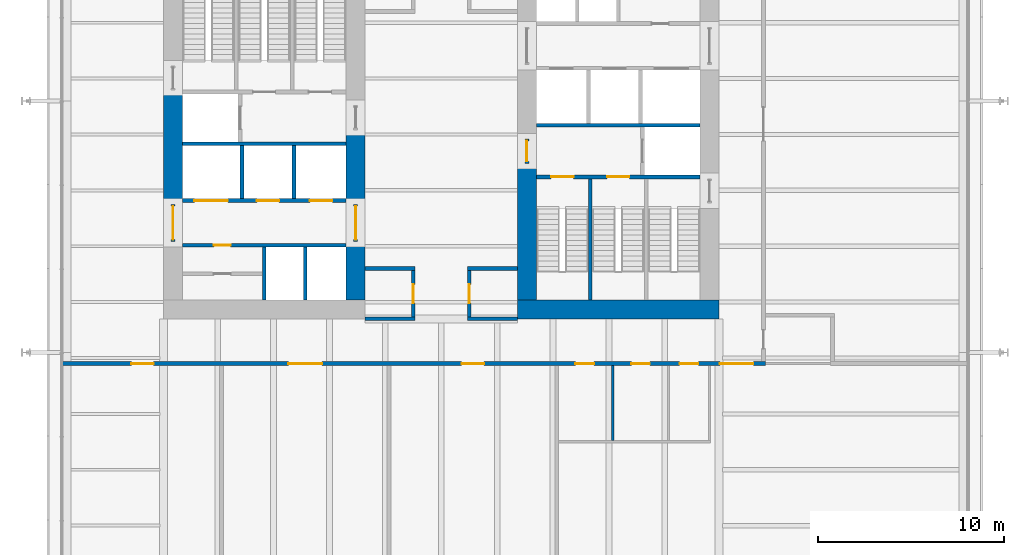
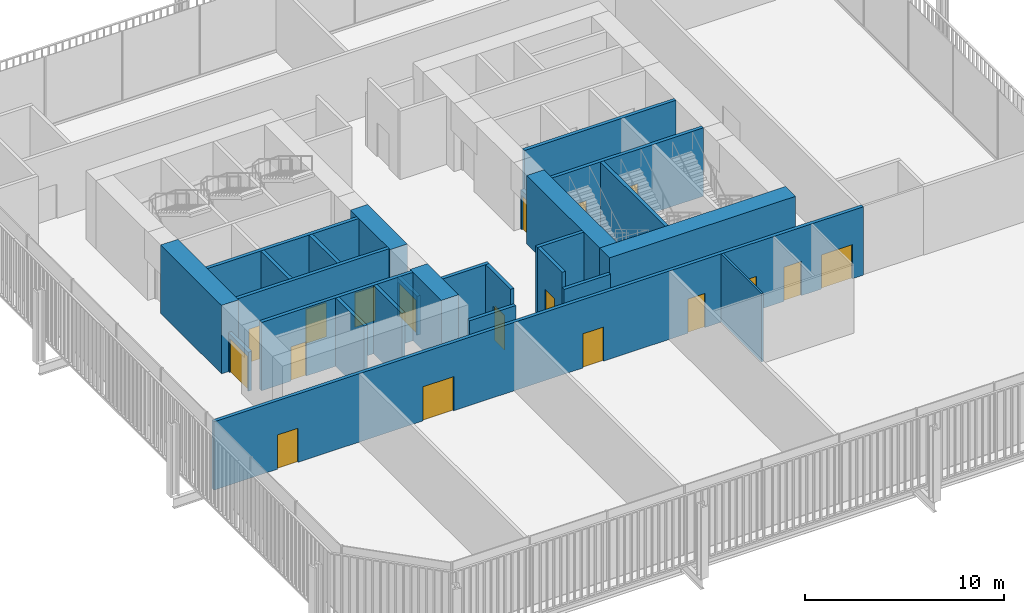
# One storey, part 16 of 20: 26 walls, 18 doors, 18 openings.
"""IFC4 building model written with IfcOpenShell, lengths in metres."""

from ifc_helpers import new_model, si_unit, direction, frame, frame_2d, origin, place, context, subcontext, project, spatial, rectangle, extrude, material, layer, layer_set, type_object, element, fill, save


model = new_model("IFC4")

# Units and contexts
model_context = context("Model", 3, precision=1e-05, world=origin(), true_north=direction((0.0, 1.0)))
body_context = subcontext(model_context, "Body", "Model", "MODEL_VIEW")
ifc_project = project(units=[si_unit("LENGTHUNIT", "METRE"), si_unit("AREAUNIT", "SQUARE_METRE"), si_unit("VOLUMEUNIT", "CUBIC_METRE"), si_unit("PLANEANGLEUNIT", "RADIAN"), si_unit("MASSUNIT", "GRAM", prefix="KILO")], contexts=[model_context])

# Site, building, storey
site_placement = place(None, origin())
site = spatial("IfcSite", under=ifc_project, at=site_placement, CompositionType="ELEMENT")
building_placement = place(site_placement, origin())
building = spatial("IfcBuilding", under=site, at=building_placement, Name="Millrace Tower", CompositionType="ELEMENT")
storey_placement = place(building_placement, frame((0.0, 0.0, 99.60009765625)))
storey = spatial("IfcBuildingStorey", under=building, at=storey_placement, Name="L22", CompositionType="ELEMENT", Elevation=99.60009765625)

# Walls
ifc_material_1 = material(Name="Concrete C80", Category="concrete")
ifc_layer_1 = layer(ifc_material_1, 1.0)
ifc_layer_set_1 = layer_set([ifc_layer_1], Name="Concrete C80")
wall_type_1 = type_object("IfcWallType", Name="Core wall 1000 Concrete C80", PredefinedType="SHEAR", material=ifc_layer_set_1)
wall_1_placement = place(storey_placement, frame((-14.39990234375, -3.75, 0.0), z_axis=(0.0, 0.0, 1.0), x_axis=(0.0, 1.0, 0.0)))
element("IfcWall", 1, at=wall_1_placement, inside=storey, type_object=wall_type_1, Name="Core wall W L22", PredefinedType="SHEAR", context=body_context, shape_type="SweptSolid", body=[
    extrude(rectangle(XDim=6.1298828125, YDim=1.0, at=frame_2d((3.06494140625, 0.0))), origin(), (0.0, 0.0, 1.0), 4.199951171875),
])
wall_2_placement = place(storey_placement, frame((-4.60009765625, -8.89990234375, 0.0), z_axis=(0.0, 0.0, 1.0), x_axis=(0.0, 1.0, 0.0)))
element("IfcWall", 2, at=wall_2_placement, inside=storey, type_object=wall_type_1, Name="Core wall W L22", PredefinedType="SHEAR", context=body_context, shape_type="SweptSolid", body=[
    extrude(rectangle(XDim=3.14990234375, YDim=1.0, at=frame_2d((1.574951171875, 0.0))), origin(), (0.0, 0.0, 1.0), 4.199951171875),
])
wall_3_placement = place(storey_placement, frame((-4.60009765625, -3.75, 0.0), z_axis=(0.0, 0.0, 1.0), x_axis=(0.0, 1.0, 0.0)))
element("IfcWall", 3, at=wall_3_placement, inside=storey, type_object=wall_type_1, Name="Core wall W L22", PredefinedType="SHEAR", context=body_context, shape_type="SweptSolid", body=[
    extrude(rectangle(XDim=4.0, YDim=1.0, at=frame_2d((2.0, 0.0))), origin(), (0.0, 0.0, 1.0), 4.199951171875),
])
wall_4_placement = place(storey_placement, frame((14.89990234375, -9.39990234375, 0.0), z_axis=(0.0, 0.0, 1.0), x_axis=(-1.0, 0.0, 0.0)))
element("IfcWall", 4, at=wall_4_placement, inside=storey, type_object=wall_type_1, Name="Core wall E L22", PredefinedType="SHEAR", context=body_context, shape_type="SweptSolid", body=[
    extrude(rectangle(XDim=10.7998046875, YDim=1.0, at=frame_2d((5.39990234375, 0.0))), origin(), (0.0, 0.0, 1.0), 4.199951171875),
])
wall_5_placement = place(storey_placement, frame((4.60009765625, -1.550048828125, 0.0), z_axis=(0.0, 0.0, 1.0), x_axis=(0.0, -1.0, 0.0)))
element("IfcWall", 5, at=wall_5_placement, inside=storey, type_object=wall_type_1, Name="Core wall E L22", PredefinedType="SHEAR", context=body_context, shape_type="SweptSolid", body=[
    extrude(rectangle(XDim=7.349853515625, YDim=1.0, at=frame_2d((3.6748046875, 0.0))), origin(), (0.0, 0.0, 1.0), 4.199951171875),
])

# Wall, openings, doors
ifc_material_2 = material(Name="Masonry partition, fire-rated", Category="masonry")
ifc_layer_2 = layer(ifc_material_2, 0.199951171875)
ifc_layer_set_2 = layer_set([ifc_layer_2], Name="Masonry partition, fire-rated")
wall_type_2 = type_object("IfcWallType", Name="Corridor wall 200", PredefinedType="PARTITIONING", material=ifc_layer_set_2)
wall_6_placement = place(storey_placement, frame((-20.330078125, -12.300048828125, 0.0), z_axis=(0.0, 0.0, 1.0), x_axis=(1.0, 0.0, 0.0)))
wall_6 = element("IfcWall", 6, at=wall_6_placement, inside=storey, type_object=wall_type_2, Name="Corridor wall L22", PredefinedType="PARTITIONING", context=body_context, shape_type="SweptSolid", body=[
    extrude(rectangle(XDim=37.72998046875, YDim=0.199951171875, at=frame_2d((18.864990234375, 0.0))), origin(), (0.0, 0.0, 1.0), 4.199951171875),
])
opening_1_placement = place(wall_6_placement, frame((3.68994140625, 0.0, 0.0)))
opening_1 = element("IfcOpeningElement", 7, at=opening_1_placement, cuts=wall_6, Name="Opening 22-P005", PredefinedType="OPENING", context=body_context, shape_type="SweptSolid", body=[
    extrude(rectangle(XDim=1.199951171875, YDim=2.10009765625, at=frame_2d((0.60009765625, 1.050048828125))), frame((0.0, 0.10986328125, 0.0), z_axis=(0.0, -1.0, 0.0), x_axis=(1.0, 0.0, 0.0)), (0.0, 0.0, 1.0), 0.219970703125),
])
opening_2_placement = place(wall_6_placement, frame((12.1298828125, 0.0, 0.0)))
opening_2 = element("IfcOpeningElement", 8, at=opening_2_placement, cuts=wall_6, Name="Opening 22-P006", PredefinedType="OPENING", context=body_context, shape_type="SweptSolid", body=[
    extrude(rectangle(XDim=1.800048828125, YDim=2.10009765625, at=frame_2d((0.89990234375, 1.050048828125))), frame((0.0, 0.10986328125, 0.0), z_axis=(0.0, -1.0, 0.0), x_axis=(1.0, 0.0, 0.0)), (0.0, 0.0, 1.0), 0.219970703125),
])
opening_3_placement = place(wall_6_placement, frame((21.429931640625, 0.0, 0.0)))
opening_3 = element("IfcOpeningElement", 9, at=opening_3_placement, cuts=wall_6, Name="Opening 22-P007", PredefinedType="OPENING", context=body_context, shape_type="SweptSolid", body=[
    extrude(rectangle(XDim=1.199951171875, YDim=2.10009765625, at=frame_2d((0.60009765625, 1.050048828125))), frame((0.0, 0.10986328125, 0.0), z_axis=(0.0, -1.0, 0.0), x_axis=(1.0, 0.0, 0.0)), (0.0, 0.0, 1.0), 0.219970703125),
])
opening_4_placement = place(wall_6_placement, frame((35.284912109375, 0.0, 0.0)))
opening_4 = element("IfcOpeningElement", 10, at=opening_4_placement, cuts=wall_6, Name="Opening 22-P008", PredefinedType="OPENING", context=body_context, shape_type="SweptSolid", body=[
    extrude(rectangle(XDim=1.800048828125, YDim=2.10009765625, at=frame_2d((0.89990234375, 1.050048828125))), frame((0.0, 0.10986328125, 0.0), z_axis=(0.0, -1.0, 0.0), x_axis=(1.0, 0.0, 0.0)), (0.0, 0.0, 1.0), 0.219970703125),
])
opening_5_placement = place(wall_6_placement, frame((27.530029296875, 0.0, 0.0)))
opening_5 = element("IfcOpeningElement", 11, at=opening_5_placement, cuts=wall_6, Name="Opening 22-P009", PredefinedType="OPENING", context=body_context, shape_type="SweptSolid", body=[
    extrude(rectangle(XDim=1.0, YDim=2.10009765625, at=frame_2d((0.5, 1.050048828125))), frame((0.0, 0.10986328125, 0.0), z_axis=(0.0, -1.0, 0.0), x_axis=(1.0, 0.0, 0.0)), (0.0, 0.0, 1.0), 0.219970703125),
])
opening_6_placement = place(wall_6_placement, frame((30.530029296875, 0.0, 0.0)))
opening_6 = element("IfcOpeningElement", 12, at=opening_6_placement, cuts=wall_6, Name="Opening 22-P010", PredefinedType="OPENING", context=body_context, shape_type="SweptSolid", body=[
    extrude(rectangle(XDim=1.0, YDim=2.10009765625, at=frame_2d((0.5, 1.050048828125))), frame((0.0, 0.10986328125, 0.0), z_axis=(0.0, -1.0, 0.0), x_axis=(1.0, 0.0, 0.0)), (0.0, 0.0, 1.0), 0.219970703125),
])
opening_7_placement = place(wall_6_placement, frame((33.1298828125, 0.0, 0.0)))
opening_7 = element("IfcOpeningElement", 13, at=opening_7_placement, cuts=wall_6, Name="Opening 22-P011", PredefinedType="OPENING", context=body_context, shape_type="SweptSolid", body=[
    extrude(rectangle(XDim=1.0, YDim=2.10009765625, at=frame_2d((0.5, 1.050048828125))), frame((0.0, 0.10986328125, 0.0), z_axis=(0.0, -1.0, 0.0), x_axis=(1.0, 0.0, 0.0)), (0.0, 0.0, 1.0), 0.219970703125),
])
ifc_material_3 = material(Name="Steel door set, fire-rated", Category="steel")
door_type_1 = type_object("IfcDoorType", Name="Corridor door 1000 x 2100", OperationType="SINGLE_SWING_LEFT", PredefinedType="DOOR", material=ifc_material_3)
door_1_placement = place(opening_5_placement, frame((1.0, 0.0, 0.0), z_axis=(0.0, 0.0, 1.0), x_axis=(-1.0, 0.0, 0.0)))
door_1 = element("IfcDoor", 14, at=door_1_placement, inside=storey, type_object=door_type_1, Name="Door 22-P009", OperationType="SINGLE_SWING_LEFT", OverallHeight=2.10009765625, OverallWidth=1.0, PredefinedType="DOOR", context=body_context, shape_type="SweptSolid", body=[
    extrude(rectangle(XDim=1.0, YDim=2.10009765625, at=frame_2d((0.5, 1.050048828125))), frame((0.0, 0.02490234375, 0.0), z_axis=(0.0, -1.0, 0.0), x_axis=(1.0, 0.0, 0.0)), (0.0, 0.0, 1.0), 0.050048828125),
])
fill(opening_5, door_1)
door_2_placement = place(opening_6_placement, frame((1.0, 0.0, 0.0), z_axis=(0.0, 0.0, 1.0), x_axis=(-1.0, 0.0, 0.0)))
door_2 = element("IfcDoor", 15, at=door_2_placement, inside=storey, type_object=door_type_1, Name="Door 22-P010", OperationType="SINGLE_SWING_LEFT", OverallHeight=2.10009765625, OverallWidth=1.0, PredefinedType="DOOR", context=body_context, shape_type="SweptSolid", body=[
    extrude(rectangle(XDim=1.0, YDim=2.10009765625, at=frame_2d((0.5, 1.050048828125))), frame((0.0, 0.02490234375, 0.0), z_axis=(0.0, -1.0, 0.0), x_axis=(1.0, 0.0, 0.0)), (0.0, 0.0, 1.0), 0.050048828125),
])
fill(opening_6, door_2)
door_3_placement = place(opening_7_placement, frame((1.0, 0.0, 0.0), z_axis=(0.0, 0.0, 1.0), x_axis=(-1.0, 0.0, 0.0)))
door_3 = element("IfcDoor", 16, at=door_3_placement, inside=storey, type_object=door_type_1, Name="Door 22-P011", OperationType="SINGLE_SWING_LEFT", OverallHeight=2.10009765625, OverallWidth=1.0, PredefinedType="DOOR", context=body_context, shape_type="SweptSolid", body=[
    extrude(rectangle(XDim=1.0, YDim=2.10009765625, at=frame_2d((0.5, 1.050048828125))), frame((0.0, 0.02490234375, 0.0), z_axis=(0.0, -1.0, 0.0), x_axis=(1.0, 0.0, 0.0)), (0.0, 0.0, 1.0), 0.050048828125),
])
fill(opening_7, door_3)
ifc_material_4 = material(Name="Steel door set, fire-rated", Category="steel")
door_type_2 = type_object("IfcDoorType", Name="Corridor door 1800 x 2100", OperationType="DOUBLE_DOOR_SINGLE_SWING", PredefinedType="DOOR", material=ifc_material_4)
door_4_placement = place(opening_4_placement, origin())
door_4 = element("IfcDoor", 17, at=door_4_placement, inside=storey, type_object=door_type_2, Name="Door 22-P008", OperationType="DOUBLE_DOOR_SINGLE_SWING", OverallHeight=2.10009765625, OverallWidth=1.800048828125, PredefinedType="DOOR", context=body_context, shape_type="SweptSolid", body=[
    extrude(rectangle(XDim=1.800048828125, YDim=2.10009765625, at=frame_2d((0.89990234375, 1.050048828125))), frame((0.0, 0.02490234375, 0.0), z_axis=(0.0, -1.0, 0.0), x_axis=(1.0, 0.0, 0.0)), (0.0, 0.0, 1.0), 0.050048828125),
])
fill(opening_4, door_4)
ifc_material_5 = material(Name="Steel door set, fire-rated", Category="steel")
door_type_3 = type_object("IfcDoorType", Name="Data hall door 1200 x 2100", OperationType="SINGLE_SWING_LEFT", PredefinedType="DOOR", material=ifc_material_5)
door_5_placement = place(opening_1_placement, frame((1.199951171875, 0.0, 0.0), z_axis=(0.0, 0.0, 1.0), x_axis=(-1.0, 0.0, 0.0)))
door_5 = element("IfcDoor", 18, at=door_5_placement, inside=storey, type_object=door_type_3, Name="Door 22-P005", OperationType="SINGLE_SWING_RIGHT", OverallHeight=2.10009765625, OverallWidth=1.199951171875, PredefinedType="DOOR", context=body_context, shape_type="SweptSolid", body=[
    extrude(rectangle(XDim=1.199951171875, YDim=2.10009765625, at=frame_2d((0.60009765625, 1.050048828125))), frame((0.0, 0.02490234375, 0.0), z_axis=(0.0, -1.0, 0.0), x_axis=(1.0, 0.0, 0.0)), (0.0, 0.0, 1.0), 0.050048828125),
])
fill(opening_1, door_5)
door_6_placement = place(opening_3_placement, frame((1.199951171875, 0.0, 0.0), z_axis=(0.0, 0.0, 1.0), x_axis=(-1.0, 0.0, 0.0)))
door_6 = element("IfcDoor", 19, at=door_6_placement, inside=storey, type_object=door_type_3, Name="Door 22-P007", OperationType="SINGLE_SWING_LEFT", OverallHeight=2.10009765625, OverallWidth=1.199951171875, PredefinedType="DOOR", context=body_context, shape_type="SweptSolid", body=[
    extrude(rectangle(XDim=1.199951171875, YDim=2.10009765625, at=frame_2d((0.60009765625, 1.050048828125))), frame((0.0, 0.02490234375, 0.0), z_axis=(0.0, -1.0, 0.0), x_axis=(1.0, 0.0, 0.0)), (0.0, 0.0, 1.0), 0.050048828125),
])
fill(opening_3, door_6)
ifc_material_6 = material(Name="Steel door set, fire-rated", Category="steel")
door_type_4 = type_object("IfcDoorType", Name="Data hall door 1800 x 2100", OperationType="DOUBLE_DOOR_SINGLE_SWING", PredefinedType="DOOR", material=ifc_material_6)
door_7_placement = place(opening_2_placement, frame((1.800048828125, 0.0, 0.0), z_axis=(0.0, 0.0, 1.0), x_axis=(-1.0, 0.0, 0.0)))
door_7 = element("IfcDoor", 20, at=door_7_placement, inside=storey, type_object=door_type_4, Name="Door 22-P006", OperationType="DOUBLE_DOOR_SINGLE_SWING", OverallHeight=2.10009765625, OverallWidth=1.800048828125, PredefinedType="DOOR", context=body_context, shape_type="SweptSolid", body=[
    extrude(rectangle(XDim=1.800048828125, YDim=2.10009765625, at=frame_2d((0.89990234375, 1.050048828125))), frame((0.0, 0.02490234375, 0.0), z_axis=(0.0, -1.0, 0.0), x_axis=(1.0, 0.0, 0.0)), (0.0, 0.0, 1.0), 0.050048828125),
])
fill(opening_2, door_7)

# Walls
for number, where, z_axis, x_axis, name in (
    (21, (-4.10009765625, -9.89990234375, 0.0), (0.0, 0.0, 1.0), (1.0, 0.0, 0.0), "Corridor wall L22"),
    (22, (1.39990234375, -9.89990234375, 0.0), (0.0, 0.0, 1.0), (1.0, 0.0, 0.0), "Corridor wall L22"),
):
    element("IfcWall", number, at=place(storey_placement, frame(where, z_axis=z_axis, x_axis=x_axis)), inside=storey, type_object=wall_type_2, Name=name, PredefinedType="PARTITIONING", context=body_context, shape_type="SweptSolid", body=[
        extrude(rectangle(XDim=2.7001953125, YDim=0.199951171875, at=frame_2d((1.35009765625, 0.0))), origin(), (0.0, 0.0, 1.0), 3.2626953125),
    ])
for number, where, z_axis, x_axis, name in (
    (23, (-4.10009765625, -7.199951171875, 0.0), (0.0, 0.0, 1.0), (1.0, 0.0, 0.0), "Corridor wall L22"),
    (24, (1.39990234375, -7.199951171875, 0.0), (0.0, 0.0, 1.0), (1.0, 0.0, 0.0), "Corridor wall L22"),
):
    element("IfcWall", number, at=place(storey_placement, frame(where, z_axis=z_axis, x_axis=x_axis)), inside=storey, type_object=wall_type_2, Name=name, PredefinedType="PARTITIONING", context=body_context, shape_type="SweptSolid", body=[
        extrude(rectangle(XDim=2.7001953125, YDim=0.199951171875, at=frame_2d((1.35009765625, 0.0))), origin(), (0.0, 0.0, 1.0), 4.199951171875),
    ])

# Wall, opening, door
wall_7_placement = place(storey_placement, frame((1.5, -9.800048828125, 0.0), z_axis=(0.0, 0.0, 1.0), x_axis=(0.0, 1.0, 0.0)))
wall_7 = element("IfcWall", 25, at=wall_7_placement, inside=storey, type_object=wall_type_2, Name="Corridor wall L22", PredefinedType="PARTITIONING", context=body_context, shape_type="SweptSolid", body=[
    extrude(rectangle(XDim=2.5, YDim=0.199951171875, at=frame_2d((1.25, 0.0))), origin(), (0.0, 0.0, 1.0), 4.199951171875),
])
opening_8_placement = place(wall_7_placement, frame((0.75, 0.0, 0.0)))
opening_8 = element("IfcOpeningElement", 26, at=opening_8_placement, cuts=wall_7, Name="Opening 22-P004", PredefinedType="OPENING", context=body_context, shape_type="SweptSolid", body=[
    extrude(rectangle(XDim=1.0, YDim=2.10009765625, at=frame_2d((0.5, 1.050048828125))), frame((0.0, 0.10986328125, 0.0), z_axis=(0.0, -1.0, 0.0), x_axis=(1.0, 0.0, 0.0)), (0.0, 0.0, 1.0), 0.219970703125),
])
door_8_placement = place(opening_8_placement, frame((1.0, 0.0, 0.0), z_axis=(0.0, 0.0, 1.0), x_axis=(-1.0, 0.0, 0.0)))
door_8 = element("IfcDoor", 27, at=door_8_placement, inside=storey, type_object=door_type_1, Name="Door 22-P004", OperationType="SINGLE_SWING_LEFT", OverallHeight=2.10009765625, OverallWidth=1.0, PredefinedType="DOOR", context=body_context, shape_type="SweptSolid", body=[
    extrude(rectangle(XDim=1.0, YDim=2.10009765625, at=frame_2d((0.5, 1.050048828125))), frame((0.0, 0.02490234375, 0.0), z_axis=(0.0, -1.0, 0.0), x_axis=(1.0, 0.0, 0.0)), (0.0, 0.0, 1.0), 0.050048828125),
])
fill(opening_8, door_8)

wall_8_placement = place(storey_placement, frame((-1.5, -9.800048828125, 0.0), z_axis=(0.0, 0.0, 1.0), x_axis=(0.0, 1.0, 0.0)))
wall_8 = element("IfcWall", 28, at=wall_8_placement, inside=storey, type_object=wall_type_2, Name="Corridor wall L22", PredefinedType="PARTITIONING", context=body_context, shape_type="SweptSolid", body=[
    extrude(rectangle(XDim=2.5, YDim=0.199951171875, at=frame_2d((1.25, 0.0))), origin(), (0.0, 0.0, 1.0), 4.199951171875),
])
opening_9_placement = place(wall_8_placement, frame((0.75, 0.0, 0.0)))
opening_9 = element("IfcOpeningElement", 29, at=opening_9_placement, cuts=wall_8, Name="Opening 22-P003", PredefinedType="OPENING", context=body_context, shape_type="SweptSolid", body=[
    extrude(rectangle(XDim=1.0, YDim=2.10009765625, at=frame_2d((0.5, 1.050048828125))), frame((0.0, 0.10986328125, 0.0), z_axis=(0.0, -1.0, 0.0), x_axis=(1.0, 0.0, 0.0)), (0.0, 0.0, 1.0), 0.219970703125),
])
door_9_placement = place(opening_9_placement, origin())
door_9 = element("IfcDoor", 30, at=door_9_placement, inside=storey, type_object=door_type_1, Name="Door 22-P003", OperationType="SINGLE_SWING_RIGHT", OverallHeight=2.10009765625, OverallWidth=1.0, PredefinedType="DOOR", context=body_context, shape_type="SweptSolid", body=[
    extrude(rectangle(XDim=1.0, YDim=2.10009765625, at=frame_2d((0.5, 1.050048828125))), frame((0.0, 0.02490234375, 0.0), z_axis=(0.0, -1.0, 0.0), x_axis=(1.0, 0.0, 0.0)), (0.0, 0.0, 1.0), 0.050048828125),
])
fill(opening_9, door_9)

ifc_material_7 = material(Name="Masonry partition, fire-rated", Category="masonry")
ifc_layer_3 = layer(ifc_material_7, 0.199951171875)
ifc_layer_set_3 = layer_set([ifc_layer_3], Name="Masonry partition, fire-rated")
wall_type_3 = type_object("IfcWallType", Name="Lift shaft wall 200", PredefinedType="PARTITIONING", material=ifc_layer_set_3)
wall_9_placement = place(storey_placement, frame((-13.89990234375, -5.949951171875, 0.0), z_axis=(0.0, 0.0, 1.0), x_axis=(1.0, 0.0, 0.0)))
wall_9 = element("IfcWall", 31, at=wall_9_placement, inside=storey, type_object=wall_type_3, Name="Lift shaft wall W L22", PredefinedType="PARTITIONING", context=body_context, shape_type="SweptSolid", body=[
    extrude(rectangle(XDim=8.7998046875, YDim=0.199951171875, at=frame_2d((4.39990234375, 0.0))), origin(), (0.0, 0.0, 1.0), 4.199951171875),
])
opening_10_placement = place(wall_9_placement, frame((1.699951171875, 0.0, 0.0)))
opening_10 = element("IfcOpeningElement", 32, at=opening_10_placement, cuts=wall_9, Name="Opening 22-C005", PredefinedType="OPENING", context=body_context, shape_type="SweptSolid", body=[
    extrude(rectangle(XDim=0.89990234375, YDim=2.10009765625, at=frame_2d((0.449951171875, 1.050048828125))), frame((0.0, 0.10986328125, 0.0), z_axis=(0.0, -1.0, 0.0), x_axis=(1.0, 0.0, 0.0)), (0.0, 0.0, 1.0), 0.219970703125),
])
ifc_material_8 = material(Name="Steel door, fire-rated", Category="steel")
door_type_5 = type_object("IfcDoorType", Name="Service room door 900 x 2100", OperationType="SINGLE_SWING_LEFT", PredefinedType="DOOR", material=ifc_material_8)
door_10_placement = place(opening_10_placement, origin())
door_10 = element("IfcDoor", 33, at=door_10_placement, inside=storey, type_object=door_type_5, Name="Service room door 22-C005", OperationType="SINGLE_SWING_LEFT", OverallHeight=2.10009765625, OverallWidth=0.89990234375, PredefinedType="DOOR", context=body_context, shape_type="SweptSolid", body=[
    extrude(rectangle(XDim=0.89990234375, YDim=2.10009765625, at=frame_2d((0.449951171875, 1.050048828125))), frame((0.0, 0.02490234375, 0.0), z_axis=(0.0, -1.0, 0.0), x_axis=(1.0, 0.0, 0.0)), (0.0, 0.0, 1.0), 0.050048828125),
])
fill(opening_10, door_10)

# Wall, openings, doors
wall_10_placement = place(storey_placement, frame((-13.89990234375, -3.550048828125, 0.0), z_axis=(0.0, 0.0, 1.0), x_axis=(1.0, 0.0, 0.0)))
wall_10 = element("IfcWall", 34, at=wall_10_placement, inside=storey, type_object=wall_type_3, Name="Lift shaft wall W L22", PredefinedType="PARTITIONING", context=body_context, shape_type="SweptSolid", body=[
    extrude(rectangle(XDim=8.7998046875, YDim=0.199951171875, at=frame_2d((4.39990234375, 0.0))), origin(), (0.0, 0.0, 1.0), 4.199951171875),
])
opening_11_placement = place(wall_10_placement, frame((0.64990234375, 0.0, 0.0)))
opening_11 = element("IfcOpeningElement", 35, at=opening_11_placement, cuts=wall_10, Name="Opening 22-LD05", PredefinedType="OPENING", context=body_context, shape_type="SweptSolid", body=[
    extrude(rectangle(XDim=1.800048828125, YDim=2.10009765625, at=frame_2d((0.89990234375, 1.050048828125))), frame((0.0, 0.10986328125, 0.0), z_axis=(0.0, -1.0, 0.0), x_axis=(1.0, 0.0, 0.0)), (0.0, 0.0, 1.0), 0.219970703125),
])
opening_12_placement = place(wall_10_placement, frame((4.0, 0.0, 0.0)))
opening_12 = element("IfcOpeningElement", 36, at=opening_12_placement, cuts=wall_10, Name="Opening 22-LD06", PredefinedType="OPENING", context=body_context, shape_type="SweptSolid", body=[
    extrude(rectangle(XDim=1.199951171875, YDim=2.10009765625, at=frame_2d((0.60009765625, 1.050048828125))), frame((0.0, 0.10986328125, 0.0), z_axis=(0.0, -1.0, 0.0), x_axis=(1.0, 0.0, 0.0)), (0.0, 0.0, 1.0), 0.219970703125),
])
opening_13_placement = place(wall_10_placement, frame((6.85009765625, 0.0, 0.0)))
opening_13 = element("IfcOpeningElement", 37, at=opening_13_placement, cuts=wall_10, Name="Opening 22-LD07", PredefinedType="OPENING", context=body_context, shape_type="SweptSolid", body=[
    extrude(rectangle(XDim=1.199951171875, YDim=2.10009765625, at=frame_2d((0.60009765625, 1.050048828125))), frame((0.0, 0.10986328125, 0.0), z_axis=(0.0, -1.0, 0.0), x_axis=(1.0, 0.0, 0.0)), (0.0, 0.0, 1.0), 0.219970703125),
])
ifc_material_9 = material(Name="Stainless steel, fire-rated", Category="steel")
door_type_6 = type_object("IfcDoorType", Name="Lift landing door 1200 x 2100", OperationType="DOUBLE_DOOR_SLIDING", PredefinedType="DOOR", material=ifc_material_9)
door_11_placement = place(opening_12_placement, origin())
door_11 = element("IfcDoor", 38, at=door_11_placement, inside=storey, type_object=door_type_6, Name="Lift landing door LF6 L22", OperationType="DOUBLE_DOOR_SLIDING", OverallHeight=2.10009765625, OverallWidth=1.199951171875, PredefinedType="DOOR", context=body_context, shape_type="SweptSolid", body=[
    extrude(rectangle(XDim=1.199951171875, YDim=2.10009765625, at=frame_2d((0.60009765625, 1.050048828125))), frame((0.0, 0.02490234375, 0.0), z_axis=(0.0, -1.0, 0.0), x_axis=(1.0, 0.0, 0.0)), (0.0, 0.0, 1.0), 0.050048828125),
])
fill(opening_12, door_11)
door_12_placement = place(opening_13_placement, origin())
door_12 = element("IfcDoor", 39, at=door_12_placement, inside=storey, type_object=door_type_6, Name="Lift landing door LF7 L22", OperationType="DOUBLE_DOOR_SLIDING", OverallHeight=2.10009765625, OverallWidth=1.199951171875, PredefinedType="DOOR", context=body_context, shape_type="SweptSolid", body=[
    extrude(rectangle(XDim=1.199951171875, YDim=2.10009765625, at=frame_2d((0.60009765625, 1.050048828125))), frame((0.0, 0.02490234375, 0.0), z_axis=(0.0, -1.0, 0.0), x_axis=(1.0, 0.0, 0.0)), (0.0, 0.0, 1.0), 0.050048828125),
])
fill(opening_13, door_12)
ifc_material_10 = material(Name="Stainless steel, fire-rated", Category="steel")
door_type_7 = type_object("IfcDoorType", Name="Lift landing door 1800 x 2100", OperationType="DOUBLE_DOOR_SLIDING", PredefinedType="DOOR", material=ifc_material_10)
door_13_placement = place(opening_11_placement, origin())
door_13 = element("IfcDoor", 40, at=door_13_placement, inside=storey, type_object=door_type_7, Name="Lift landing door LF5 L22", OperationType="DOUBLE_DOOR_SLIDING", OverallHeight=2.10009765625, OverallWidth=1.800048828125, PredefinedType="DOOR", context=body_context, shape_type="SweptSolid", body=[
    extrude(rectangle(XDim=1.800048828125, YDim=2.10009765625, at=frame_2d((0.89990234375, 1.050048828125))), frame((0.0, 0.02490234375, 0.0), z_axis=(0.0, -1.0, 0.0), x_axis=(1.0, 0.0, 0.0)), (0.0, 0.0, 1.0), 0.050048828125),
])
fill(opening_11, door_13)

# Walls
wall_11_placement = place(storey_placement, frame((-13.89990234375, -0.5, 0.0), z_axis=(0.0, 0.0, 1.0), x_axis=(1.0, 0.0, 0.0)))
element("IfcWall", 41, at=wall_11_placement, inside=storey, type_object=wall_type_3, Name="Lift shaft wall W L22", PredefinedType="PARTITIONING", context=body_context, shape_type="SweptSolid", body=[
    extrude(rectangle(XDim=8.7998046875, YDim=0.199951171875, at=frame_2d((4.39990234375, 0.0))), origin(), (0.0, 0.0, 1.0), 4.199951171875),
])
for number, where, z_axis, x_axis, name in (
    (42, (-9.5, -8.89990234375, 0.0), (0.0, 0.0, 1.0), (0.0, 1.0, 0.0), "Lift shaft wall W L22"),
    (43, (-7.300048828125, -8.89990234375, 0.0), (0.0, 0.0, 1.0), (0.0, 1.0, 0.0), "Lift shaft wall W L22"),
    (44, (-10.699951171875, -3.449951171875, 0.0), (0.0, 0.0, 1.0), (0.0, 1.0, 0.0), "Lift shaft wall W L22"),
    (45, (-7.89990234375, -3.449951171875, 0.0), (0.0, 0.0, 1.0), (0.0, 1.0, 0.0), "Lift shaft wall W L22"),
):
    element("IfcWall", number, at=place(storey_placement, frame(where, z_axis=z_axis, x_axis=x_axis)), inside=storey, type_object=wall_type_3, Name=name, PredefinedType="PARTITIONING", context=body_context, shape_type="SweptSolid", body=[
        extrude(rectangle(XDim=2.849853515625, YDim=0.199951171875, at=frame_2d((1.4248046875, 0.0))), origin(), (0.0, 0.0, 1.0), 4.199951171875),
    ])
wall_12_placement = place(storey_placement, frame((13.89990234375, 0.5, 0.0), z_axis=(0.0, 0.0, 1.0), x_axis=(-1.0, 0.0, 0.0)))
element("IfcWall", 46, at=wall_12_placement, inside=storey, type_object=wall_type_3, Name="Lift shaft wall E L22", PredefinedType="PARTITIONING", context=body_context, shape_type="SweptSolid", body=[
    extrude(rectangle(XDim=8.7998046875, YDim=0.199951171875, at=frame_2d((4.39990234375, 0.0))), origin(), (0.0, 0.0, 1.0), 4.199951171875),
])

# Wall, opening, door
ifc_material_11 = material(Name="Masonry partition, fire-rated", Category="masonry")
ifc_layer_4 = layer(ifc_material_11, 0.199951171875)
ifc_layer_set_4 = layer_set([ifc_layer_4], Name="Masonry partition, fire-rated")
wall_type_4 = type_object("IfcWallType", Name="Lobby wall 200", PredefinedType="PARTITIONING", material=ifc_layer_set_4)
wall_13_placement = place(storey_placement, frame((-14.39990234375, -5.75, 0.0), z_axis=(0.0, 0.0, 1.0), x_axis=(0.0, 1.0, 0.0)))
wall_13 = element("IfcWall", 47, at=wall_13_placement, inside=storey, type_object=wall_type_4, Name="Lobby wall W L22", PredefinedType="PARTITIONING", context=body_context, shape_type="SweptSolid", body=[
    extrude(rectangle(XDim=2.0, YDim=0.199951171875, at=frame_2d((1.0, 0.0))), origin(), (0.0, 0.0, 1.0), 2.39990234375),
])
opening_14_placement = place(wall_13_placement, frame((0.10009765625, 0.0, 0.0)))
opening_14 = element("IfcOpeningElement", 48, at=opening_14_placement, cuts=wall_13, Name="Opening 22-C001", PredefinedType="OPENING", context=body_context, shape_type="SweptSolid", body=[
    extrude(rectangle(XDim=1.800048828125, YDim=2.10009765625, at=frame_2d((0.89990234375, 1.050048828125))), frame((0.0, 0.10986328125, 0.0), z_axis=(0.0, -1.0, 0.0), x_axis=(1.0, 0.0, 0.0)), (0.0, 0.0, 1.0), 0.219970703125),
])
ifc_material_12 = material(Name="Steel door, fire-rated", Category="steel")
door_type_8 = type_object("IfcDoorType", Name="Lobby door 1800 x 2100", OperationType="DOUBLE_DOOR_SINGLE_SWING", PredefinedType="DOOR", material=ifc_material_12)
door_14_placement = place(opening_14_placement, origin())
door_14 = element("IfcDoor", 49, at=door_14_placement, inside=storey, type_object=door_type_8, Name="Lobby door 22-C001", OperationType="DOUBLE_DOOR_SINGLE_SWING", OverallHeight=2.10009765625, OverallWidth=1.800048828125, PredefinedType="DOOR", context=body_context, shape_type="SweptSolid", body=[
    extrude(rectangle(XDim=1.800048828125, YDim=2.10009765625, at=frame_2d((0.89990234375, 1.050048828125))), frame((0.0, 0.02490234375, 0.0), z_axis=(0.0, -1.0, 0.0), x_axis=(1.0, 0.0, 0.0)), (0.0, 0.0, 1.0), 0.050048828125),
])
fill(opening_14, door_14)

wall_14_placement = place(storey_placement, frame((-4.60009765625, -5.75, 0.0), z_axis=(0.0, 0.0, 1.0), x_axis=(0.0, 1.0, 0.0)))
wall_14 = element("IfcWall", 50, at=wall_14_placement, inside=storey, type_object=wall_type_4, Name="Lobby wall W L22", PredefinedType="PARTITIONING", context=body_context, shape_type="SweptSolid", body=[
    extrude(rectangle(XDim=2.0, YDim=0.199951171875, at=frame_2d((1.0, 0.0))), origin(), (0.0, 0.0, 1.0), 2.39990234375),
])
opening_15_placement = place(wall_14_placement, frame((0.10009765625, 0.0, 0.0)))
opening_15 = element("IfcOpeningElement", 51, at=opening_15_placement, cuts=wall_14, Name="Opening 22-C003", PredefinedType="OPENING", context=body_context, shape_type="SweptSolid", body=[
    extrude(rectangle(XDim=1.800048828125, YDim=2.10009765625, at=frame_2d((0.89990234375, 1.050048828125))), frame((0.0, 0.10986328125, 0.0), z_axis=(0.0, -1.0, 0.0), x_axis=(1.0, 0.0, 0.0)), (0.0, 0.0, 1.0), 0.219970703125),
])
door_15_placement = place(opening_15_placement, origin())
door_15 = element("IfcDoor", 52, at=door_15_placement, inside=storey, type_object=door_type_8, Name="Lobby door 22-C003", OperationType="DOUBLE_DOOR_SINGLE_SWING", OverallHeight=2.10009765625, OverallWidth=1.800048828125, PredefinedType="DOOR", context=body_context, shape_type="SweptSolid", body=[
    extrude(rectangle(XDim=1.800048828125, YDim=2.10009765625, at=frame_2d((0.89990234375, 1.050048828125))), frame((0.0, 0.02490234375, 0.0), z_axis=(0.0, -1.0, 0.0), x_axis=(1.0, 0.0, 0.0)), (0.0, 0.0, 1.0), 0.050048828125),
])
fill(opening_15, door_15)

wall_15_placement = place(storey_placement, frame((4.60009765625, -0.25, 0.0), z_axis=(0.0, 0.0, 1.0), x_axis=(0.0, -1.0, 0.0)))
wall_15 = element("IfcWall", 53, at=wall_15_placement, inside=storey, type_object=wall_type_4, Name="Lobby wall E L22", PredefinedType="PARTITIONING", context=body_context, shape_type="SweptSolid", body=[
    extrude(rectangle(XDim=1.300048828125, YDim=0.199951171875, at=frame_2d((0.64990234375, 0.0))), origin(), (0.0, 0.0, 1.0), 2.39990234375),
])
opening_16_placement = place(wall_15_placement, frame((0.10009765625, 0.0, 0.0)))
opening_16 = element("IfcOpeningElement", 54, at=opening_16_placement, cuts=wall_15, Name="Opening 22-C012", PredefinedType="OPENING", context=body_context, shape_type="SweptSolid", body=[
    extrude(rectangle(XDim=1.10009765625, YDim=2.10009765625, at=frame_2d((0.550048828125, 1.050048828125))), frame((0.0, 0.10986328125, 0.0), z_axis=(0.0, -1.0, 0.0), x_axis=(1.0, 0.0, 0.0)), (0.0, 0.0, 1.0), 0.219970703125),
])
ifc_material_13 = material(Name="Steel door, fire-rated", Category="steel")
door_type_9 = type_object("IfcDoorType", Name="Lobby door 1100 x 2100", OperationType="SINGLE_SWING_LEFT", PredefinedType="DOOR", material=ifc_material_13)
door_16_placement = place(opening_16_placement, origin())
door_16 = element("IfcDoor", 55, at=door_16_placement, inside=storey, type_object=door_type_9, Name="Lobby door 22-C012", OperationType="SINGLE_SWING_RIGHT", OverallHeight=2.10009765625, OverallWidth=1.10009765625, PredefinedType="DOOR", context=body_context, shape_type="SweptSolid", body=[
    extrude(rectangle(XDim=1.10009765625, YDim=2.10009765625, at=frame_2d((0.550048828125, 1.050048828125))), frame((0.0, 0.02490234375, 0.0), z_axis=(0.0, -1.0, 0.0), x_axis=(1.0, 0.0, 0.0)), (0.0, 0.0, 1.0), 0.050048828125),
])
fill(opening_16, door_16)

# Wall
ifc_material_14 = material(Name="Gypsum board partition")
ifc_layer_5 = layer(ifc_material_14, 0.1201171875)
ifc_layer_set_5 = layer_set([ifc_layer_5], Name="Gypsum board partition")
wall_type_5 = type_object("IfcWallType", Name="Partition wall 120", PredefinedType="PARTITIONING", material=ifc_layer_set_5)
wall_16_placement = place(storey_placement, frame((9.199951171875, -16.43994140625, 0.0), z_axis=(0.0, 0.0, 1.0), x_axis=(0.0, 1.0, 0.0)))
element("IfcWall", 56, at=wall_16_placement, inside=storey, type_object=wall_type_5, Name="Partition wall L22", PredefinedType="PARTITIONING", context=body_context, shape_type="SweptSolid", body=[
    extrude(rectangle(XDim=4.0400390625, YDim=0.1201171875, at=frame_2d((2.02001953125, 0.0))), origin(), (0.0, 0.0, 1.0), 4.199951171875),
])

# Wall, openings, doors
ifc_material_15 = material(Name="Concrete C40", Category="concrete")
ifc_layer_6 = layer(ifc_material_15, 0.199951171875)
ifc_layer_set_6 = layer_set([ifc_layer_6], Name="Concrete C40")
wall_type_6 = type_object("IfcWallType", Name="Stair enclosure wall 200 Concrete C40", PredefinedType="SHEAR", material=ifc_layer_set_6)
wall_17_placement = place(storey_placement, frame((13.89990234375, -2.280029296875, 0.0), z_axis=(0.0, 0.0, 1.0), x_axis=(-1.0, 0.0, 0.0)))
wall_17 = element("IfcWall", 57, at=wall_17_placement, inside=storey, type_object=wall_type_6, Name="Stair enclosure wall E L22", PredefinedType="SHEAR", context=body_context, shape_type="SweptSolid", body=[
    extrude(rectangle(XDim=8.7998046875, YDim=0.199951171875, at=frame_2d((4.39990234375, 0.0))), origin(), (0.0, 0.0, 1.0), 4.199951171875),
])
opening_17_placement = place(wall_17_placement, frame((3.800048828125, 0.0, 0.0)))
opening_17 = element("IfcOpeningElement", 58, at=opening_17_placement, cuts=wall_17, Name="Opening 22-C015", PredefinedType="OPENING", context=body_context, shape_type="SweptSolid", body=[
    extrude(rectangle(XDim=1.199951171875, YDim=2.10009765625, at=frame_2d((0.60009765625, 1.050048828125))), frame((0.0, 0.10986328125, 0.0), z_axis=(0.0, -1.0, 0.0), x_axis=(1.0, 0.0, 0.0)), (0.0, 0.0, 1.0), 0.219970703125),
])
opening_18_placement = place(wall_17_placement, frame((6.800048828125, 0.0, 0.0)))
opening_18 = element("IfcOpeningElement", 59, at=opening_18_placement, cuts=wall_17, Name="Opening 22-C016", PredefinedType="OPENING", context=body_context, shape_type="SweptSolid", body=[
    extrude(rectangle(XDim=1.199951171875, YDim=2.10009765625, at=frame_2d((0.60009765625, 1.050048828125))), frame((0.0, 0.10986328125, 0.0), z_axis=(0.0, -1.0, 0.0), x_axis=(1.0, 0.0, 0.0)), (0.0, 0.0, 1.0), 0.219970703125),
])
ifc_material_16 = material(Name="Steel door, fire-rated", Category="steel")
door_type_10 = type_object("IfcDoorType", Name="Stair door 1200 x 2100", OperationType="SINGLE_SWING_LEFT", PredefinedType="DOOR", material=ifc_material_16)
door_17_placement = place(opening_17_placement, frame((1.199951171875, 0.0, 0.0), z_axis=(0.0, 0.0, 1.0), x_axis=(-1.0, 0.0, 0.0)))
door_17 = element("IfcDoor", 60, at=door_17_placement, inside=storey, type_object=door_type_10, Name="Stair door 22-C015", OperationType="SINGLE_SWING_RIGHT", OverallHeight=2.10009765625, OverallWidth=1.199951171875, PredefinedType="DOOR", context=body_context, shape_type="SweptSolid", body=[
    extrude(rectangle(XDim=1.199951171875, YDim=2.10009765625, at=frame_2d((0.60009765625, 1.050048828125))), frame((0.0, 0.02490234375, 0.0), z_axis=(0.0, -1.0, 0.0), x_axis=(1.0, 0.0, 0.0)), (0.0, 0.0, 1.0), 0.050048828125),
])
fill(opening_17, door_17)
door_18_placement = place(opening_18_placement, frame((1.199951171875, 0.0, 0.0), z_axis=(0.0, 0.0, 1.0), x_axis=(-1.0, 0.0, 0.0)))
door_18 = element("IfcDoor", 61, at=door_18_placement, inside=storey, type_object=door_type_10, Name="Stair door 22-C016", OperationType="SINGLE_SWING_LEFT", OverallHeight=2.10009765625, OverallWidth=1.199951171875, PredefinedType="DOOR", context=body_context, shape_type="SweptSolid", body=[
    extrude(rectangle(XDim=1.199951171875, YDim=2.10009765625, at=frame_2d((0.60009765625, 1.050048828125))), frame((0.0, 0.02490234375, 0.0), z_axis=(0.0, -1.0, 0.0), x_axis=(1.0, 0.0, 0.0)), (0.0, 0.0, 1.0), 0.050048828125),
])
fill(opening_18, door_18)

# Wall
wall_18_placement = place(storey_placement, frame((8.0, -2.3798828125, 0.0), z_axis=(0.0, 0.0, 1.0), x_axis=(0.0, -1.0, 0.0)))
element("IfcWall", 62, at=wall_18_placement, inside=storey, type_object=wall_type_6, Name="Stair enclosure wall E L22", PredefinedType="SHEAR", context=body_context, shape_type="SweptSolid", body=[
    extrude(rectangle(XDim=6.52001953125, YDim=0.199951171875, at=frame_2d((3.260009765625, 0.0))), origin(), (0.0, 0.0, 1.0), 4.199951171875),
])

save(model, "model.ifc")
